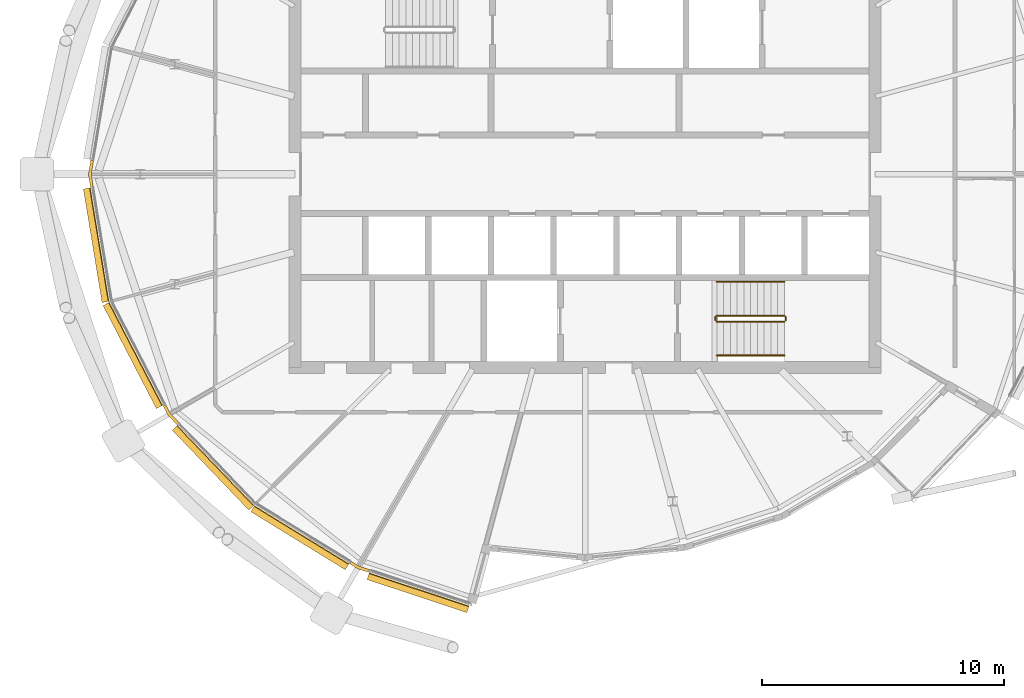
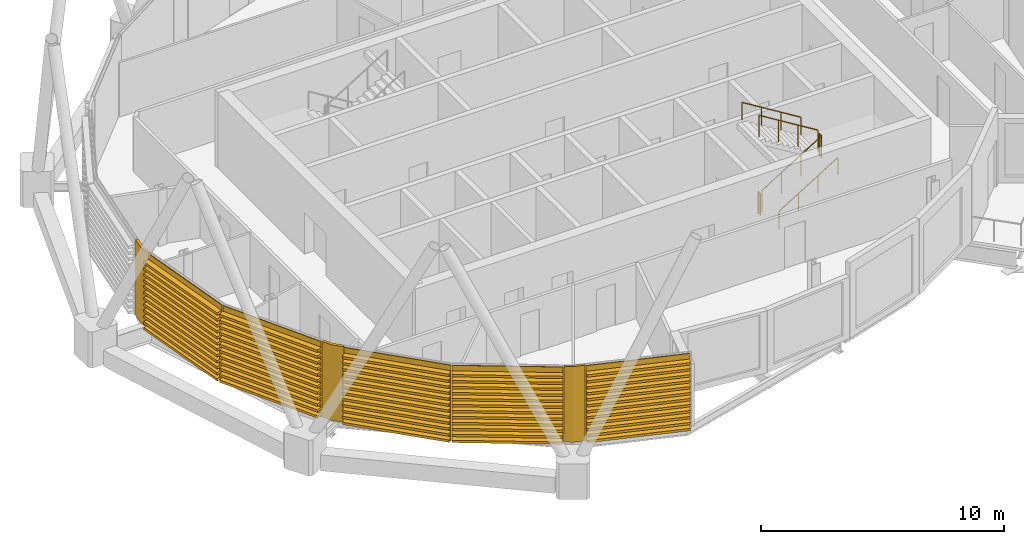
# One storey, part 27 of 32: 8 coverings, 6 railings.
"""IFC4 building model written with IfcOpenShell, lengths in metres."""

from ifc_helpers import new_model, si_unit, direction, frame, origin, origin_2d, place, context, subcontext, project, spatial, polyline, circle, outline, extrude, material, layer, layer_set, material_profile, profile_set, type_object, element, save


model = new_model("IFC4")

# Units and contexts
model_context = context("Model", 3, precision=1e-05, world=origin(), true_north=direction((0.0, 1.0)))
body_context = subcontext(model_context, "Body", "Model", "MODEL_VIEW")
ifc_project = project(units=[si_unit("LENGTHUNIT", "METRE"), si_unit("AREAUNIT", "SQUARE_METRE"), si_unit("VOLUMEUNIT", "CUBIC_METRE"), si_unit("PLANEANGLEUNIT", "RADIAN"), si_unit("MASSUNIT", "GRAM", prefix="KILO")], contexts=[model_context])

# Site, building, storey
site_placement = place(None, origin())
site = spatial("IfcSite", under=ifc_project, at=site_placement, CompositionType="ELEMENT")
building_placement = place(site_placement, origin())
building = spatial("IfcBuilding", under=site, at=building_placement, Name="Rimbun Link Towers", CompositionType="ELEMENT")
storey_placement = place(building_placement, frame((0.0, 0.0, 233.300048828125)))
storey = spatial("IfcBuildingStorey", under=building, at=storey_placement, Name="L57", CompositionType="ELEMENT", Elevation=233.300048828125)

# Coverings
ifc_material_1 = material(Name="Terracotta", Category="masonry")
ifc_layer = layer(ifc_material_1, 0.1201171875)
ifc_layer_set = layer_set([ifc_layer], Name="LINK PIER terracotta cladding 120")
covering_type_1 = type_object("IfcCoveringType", Name="LINK PIER terracotta cladding 120", PredefinedType="CLADDING", material=ifc_layer_set)
covering_1_placement = place(storey_placement, origin())
element("IfcCovering", 1, at=covering_1_placement, inside=storey, type_object=covering_type_1, Name="LINK PIER cladding", PredefinedType="CLADDING", context=body_context, shape_type="SweptSolid", body=[
    extrude(outline(polyline([(-52.0908203125, -0.51318359375), (-52.17529296875, 0.0), (-52.082763671875, 0.5625), (-52.201171875, 0.58203125), (-52.296875, 0.0), (-52.209228515625, -0.532470703125), (-52.0908203125, -0.51318359375)])), origin(), (0.0, 0.0, 1.0), 3.800048828125),
])
covering_2_placement = place(storey_placement, origin())
element("IfcCovering", 2, at=covering_2_placement, inside=storey, type_object=covering_type_1, Name="LINK PIER cladding", PredefinedType="CLADDING", context=body_context, shape_type="SweptSolid", body=[
    extrude(outline(polyline([(-48.541748046875, -10.278076171875), (-48.901611328125, -9.902587890625), (-49.0947265625, -9.529541015625), (-49.201171875, -9.584716796875), (-49.000244140625, -9.97314453125), (-48.62841796875, -10.361083984375), (-48.541748046875, -10.278076171875)])), origin(), (0.0, 0.0, 1.0), 3.800048828125),
])
covering_3_placement = place(storey_placement, origin())
element("IfcCovering", 3, at=covering_3_placement, inside=storey, type_object=covering_type_1, Name="LINK PIER cladding", PredefinedType="CLADDING", context=body_context, shape_type="SweptSolid", body=[
    extrude(outline(polyline([(-40.66259765625, -16.357666015625), (-41.108642578125, -16.209716796875), (-41.424072265625, -16.01611328125), (-41.48681640625, -16.118408203125), (-41.15966796875, -16.3193359375), (-40.7001953125, -16.471435546875), (-40.66259765625, -16.357666015625)])), origin(), (0.0, 0.0, 1.0), 3.800048828125),
])

# Railings
ifc_material_2 = material(Name="Stainless steel grade 316", Category="steel")
railing_type_1 = type_object("IfcRailingType", Name="Stair guard", PredefinedType="GUARDRAIL", material=ifc_material_2)
railing_1_placement = place(storey_placement, frame((-26.300048828125, -6.10009765625, 0.172607421875)))
element("IfcRailing", 4, at=railing_1_placement, inside=storey, type_object=railing_type_1, Name="L57 ST2 stair guard 1", PredefinedType="GUARDRAIL", context=body_context, shape_type="SweptSolid", body=[
    extrude(circle(Radius=0.02392578125, at=origin_2d()), frame((0.0, 0.0, 1.076171875), z_axis=(0.851089632645, 0.0, 0.525020415988), x_axis=(0.0, 1.0, 0.0)), (0.0, 0.0, 1.0), 3.2900390625),
    extrude(circle(Radius=0.02099609375, at=origin_2d()), origin(), (0.0, 0.0, 1.0), 1.052001953125),
    extrude(circle(Radius=0.02099609375, at=origin_2d()), frame((0.933349609375, 0.0, 0.57568359375)), (0.0, 0.0, 1.0), 1.052001953125),
    extrude(circle(Radius=0.02099609375, at=origin_2d()), frame((1.86669921875, 0.0, 1.151611328125)), (0.0, 0.0, 1.0), 1.052001953125),
    extrude(circle(Radius=0.02099609375, at=origin_2d()), frame((2.800048828125, 0.0, 1.727294921875)), (0.0, 0.0, 1.0), 1.052001953125),
])
railing_2_placement = place(storey_placement, frame((-23.449951171875, -6.050048828125, 1.89990234375)))
element("IfcRailing", 5, at=railing_2_placement, inside=storey, type_object=railing_type_1, Name="L57 ST2 stair guard 2", PredefinedType="GUARDRAIL", context=body_context, shape_type="SweptSolid", body=[
    extrude(circle(Radius=0.02392578125, at=origin_2d()), frame((0.0, 0.0, 1.076171875), z_axis=(0.0, 1.0, 0.0), x_axis=(-1.0, 0.0, 0.0)), (0.0, 0.0, 1.0), 0.150146484375),
    extrude(circle(Radius=0.02099609375, at=origin_2d()), origin(), (0.0, 0.0, 1.0), 1.052001953125),
    extrude(circle(Radius=0.02099609375, at=origin_2d()), frame((0.0, 0.150146484375, 0.0)), (0.0, 0.0, 1.0), 1.052001953125),
])
railing_3_placement = place(storey_placement, frame((-23.5, -5.85009765625, 2.07275390625)))
element("IfcRailing", 6, at=railing_3_placement, inside=storey, type_object=railing_type_1, Name="L57 ST2 stair guard 3", PredefinedType="GUARDRAIL", context=body_context, shape_type="SweptSolid", body=[
    extrude(circle(Radius=0.02392578125, at=origin_2d()), frame((0.0, 0.0, 1.076171875), z_axis=(-0.851089632645, 0.0, 0.525020415988), x_axis=(0.0, -1.0, 0.0)), (0.0, 0.0, 1.0), 3.2900390625),
    extrude(circle(Radius=0.02099609375, at=origin_2d()), origin(), (0.0, 0.0, 1.0), 1.052001953125),
    extrude(circle(Radius=0.02099609375, at=origin_2d()), frame((-0.933349609375, 0.0, 0.57568359375)), (0.0, 0.0, 1.0), 1.052001953125),
    extrude(circle(Radius=0.02099609375, at=origin_2d()), frame((-1.86669921875, 0.0, 1.151611328125)), (0.0, 0.0, 1.0), 1.052001953125),
    extrude(circle(Radius=0.02099609375, at=origin_2d()), frame((-2.800048828125, 0.0, 1.727294921875)), (0.0, 0.0, 1.0), 1.052001953125),
])
railing_4_placement = place(storey_placement, frame((-26.35009765625, -6.050048828125, 0.0)))
element("IfcRailing", 7, at=railing_4_placement, inside=storey, type_object=railing_type_1, Name="L57 ST2 stair guard 4", PredefinedType="GUARDRAIL", context=body_context, shape_type="SweptSolid", body=[
    extrude(circle(Radius=0.02392578125, at=origin_2d()), frame((0.0, 0.0, 1.076171875), z_axis=(0.0, 1.0, 0.0), x_axis=(-1.0, 0.0, 0.0)), (0.0, 0.0, 1.0), 0.150146484375),
    extrude(circle(Radius=0.02099609375, at=origin_2d()), origin(), (0.0, 0.0, 1.0), 1.052001953125),
    extrude(circle(Radius=0.02099609375, at=origin_2d()), frame((0.0, 0.150146484375, 0.0)), (0.0, 0.0, 1.0), 1.052001953125),
])
ifc_material_3 = material(Name="Stainless steel grade 316", Category="steel")
railing_type_2 = type_object("IfcRailingType", Name="Stair handrail", PredefinedType="HANDRAIL", material=ifc_material_3)
railing_5_placement = place(storey_placement, frame((-26.300048828125, -7.5, 0.172607421875)))
element("IfcRailing", 8, at=railing_5_placement, inside=storey, type_object=railing_type_2, Name="L57 ST2 stair handrail 1", PredefinedType="HANDRAIL", context=body_context, shape_type="SweptSolid", body=[
    extrude(circle(Radius=0.02392578125, at=origin_2d()), frame((0.0, 0.0, 0.8759765625), z_axis=(0.851089632645, 0.0, 0.525020415988), x_axis=(0.0, 1.0, 0.0)), (0.0, 0.0, 1.0), 3.2900390625),
    extrude(circle(Radius=0.02099609375, at=origin_2d()), origin(), (0.0, 0.0, 1.0), 0.851806640625),
    extrude(circle(Radius=0.02099609375, at=origin_2d()), frame((0.933349609375, 0.0, 0.57568359375)), (0.0, 0.0, 1.0), 0.851806640625),
    extrude(circle(Radius=0.02099609375, at=origin_2d()), frame((1.86669921875, 0.0, 1.151611328125)), (0.0, 0.0, 1.0), 0.851806640625),
    extrude(circle(Radius=0.02099609375, at=origin_2d()), frame((2.800048828125, 0.0, 1.727294921875)), (0.0, 0.0, 1.0), 0.851806640625),
])
railing_6_placement = place(storey_placement, frame((-23.5, -4.449951171875, 2.07275390625)))
element("IfcRailing", 9, at=railing_6_placement, inside=storey, type_object=railing_type_2, Name="L57 ST2 stair handrail 2", PredefinedType="HANDRAIL", context=body_context, shape_type="SweptSolid", body=[
    extrude(circle(Radius=0.02392578125, at=origin_2d()), frame((0.0, 0.0, 0.8759765625), z_axis=(-0.851089632645, 0.0, 0.525020415988), x_axis=(0.0, -1.0, 0.0)), (0.0, 0.0, 1.0), 3.2900390625),
    extrude(circle(Radius=0.02099609375, at=origin_2d()), origin(), (0.0, 0.0, 1.0), 0.851806640625),
    extrude(circle(Radius=0.02099609375, at=origin_2d()), frame((-0.933349609375, 0.0, 0.57568359375)), (0.0, 0.0, 1.0), 0.851806640625),
    extrude(circle(Radius=0.02099609375, at=origin_2d()), frame((-1.86669921875, 0.0, 1.151611328125)), (0.0, 0.0, 1.0), 0.851806640625),
    extrude(circle(Radius=0.02099609375, at=origin_2d()), frame((-2.800048828125, 0.0, 1.727294921875)), (0.0, 0.0, 1.0), 0.851806640625),
])

# Coverings
ifc_material_4 = material(Name="Terracotta", Category="masonry")
ifc_material_profile = material_profile(ifc_material_4, outline(polyline([(0.123046875, 0.0), (0.1630859375, 0.0), (0.1630859375, 0.10009765625), (0.423095703125, 0.10009765625), (0.423095703125, 0.219970703125), (0.1630859375, 0.219970703125), (0.1630859375, 0.39990234375), (0.423095703125, 0.39990234375), (0.423095703125, 0.52001953125), (0.1630859375, 0.52001953125), (0.1630859375, 0.699951171875), (0.423095703125, 0.699951171875), (0.423095703125, 0.820068359375), (0.1630859375, 0.820068359375), (0.1630859375, 1.0), (0.423095703125, 1.0), (0.423095703125, 1.1201171875), (0.1630859375, 1.1201171875), (0.1630859375, 1.300048828125), (0.423095703125, 1.300048828125), (0.423095703125, 1.419921875), (0.1630859375, 1.419921875), (0.1630859375, 1.60009765625), (0.423095703125, 1.60009765625), (0.423095703125, 1.719970703125), (0.1630859375, 1.719970703125), (0.1630859375, 1.89990234375), (0.423095703125, 1.89990234375), (0.423095703125, 2.02001953125), (0.1630859375, 2.02001953125), (0.1630859375, 2.199951171875), (0.423095703125, 2.199951171875), (0.423095703125, 2.320068359375), (0.1630859375, 2.320068359375), (0.1630859375, 2.5), (0.423095703125, 2.5), (0.423095703125, 2.6201171875), (0.1630859375, 2.6201171875), (0.1630859375, 2.800048828125), (0.423095703125, 2.800048828125), (0.423095703125, 2.919921875), (0.1630859375, 2.919921875), (0.1630859375, 3.10009765625), (0.423095703125, 3.10009765625), (0.423095703125, 3.219970703125), (0.1630859375, 3.219970703125), (0.1630859375, 3.39990234375), (0.423095703125, 3.39990234375), (0.423095703125, 3.52001953125), (0.1630859375, 3.52001953125), (0.1630859375, 3.800048828125), (0.123046875, 3.800048828125), (0.123046875, 0.0)])), Name="BAGUETTE 120X300")
ifc_profile_set = profile_set([ifc_material_profile], Name="Terracotta")
covering_type_2 = type_object("IfcCoveringType", Name="TERRACOTTA BAGUETTE 120X300 H3800", PredefinedType="CLADDING", material=ifc_profile_set)
covering_4_placement = place(storey_placement, frame((-51.313232421875, -5.241943359375, 0.0), z_axis=(-0.162253781164, 0.986749061564, 0.0), x_axis=(-0.986749061564, -0.162253781164, 0.0)))
element("IfcCovering", 10, at=covering_4_placement, inside=storey, type_object=covering_type_2, Name="TERRACOTTA BAGUETTE", PredefinedType="CLADDING", context=body_context, shape_type="SweptSolid", body=[
    extrude(outline(polyline([(0.123046875, 0.0), (0.1630859375, 0.0), (0.1630859375, 0.10009765625), (0.423095703125, 0.10009765625), (0.423095703125, 0.219970703125), (0.1630859375, 0.219970703125), (0.1630859375, 0.39990234375), (0.423095703125, 0.39990234375), (0.423095703125, 0.52001953125), (0.1630859375, 0.52001953125), (0.1630859375, 0.699951171875), (0.423095703125, 0.699951171875), (0.423095703125, 0.820068359375), (0.1630859375, 0.820068359375), (0.1630859375, 1.0), (0.423095703125, 1.0), (0.423095703125, 1.1201171875), (0.1630859375, 1.1201171875), (0.1630859375, 1.300048828125), (0.423095703125, 1.300048828125), (0.423095703125, 1.419921875), (0.1630859375, 1.419921875), (0.1630859375, 1.60009765625), (0.423095703125, 1.60009765625), (0.423095703125, 1.719970703125), (0.1630859375, 1.719970703125), (0.1630859375, 1.89990234375), (0.423095703125, 1.89990234375), (0.423095703125, 2.02001953125), (0.1630859375, 2.02001953125), (0.1630859375, 2.199951171875), (0.423095703125, 2.199951171875), (0.423095703125, 2.320068359375), (0.1630859375, 2.320068359375), (0.1630859375, 2.5), (0.423095703125, 2.5), (0.423095703125, 2.6201171875), (0.1630859375, 2.6201171875), (0.1630859375, 2.800048828125), (0.423095703125, 2.800048828125), (0.423095703125, 2.919921875), (0.1630859375, 2.919921875), (0.1630859375, 3.10009765625), (0.423095703125, 3.10009765625), (0.423095703125, 3.219970703125), (0.1630859375, 3.219970703125), (0.1630859375, 3.39990234375), (0.423095703125, 3.39990234375), (0.423095703125, 3.52001953125), (0.1630859375, 3.52001953125), (0.1630859375, 3.800048828125), (0.123046875, 3.800048828125), (0.123046875, 0.0)])), origin(), (0.0, 0.0, 1.0), 4.76220703125),
])
covering_5_placement = place(storey_placement, frame((-49.1083984375, -9.5029296875, 0.0), z_axis=(-0.459566887816, 0.888143161671, 0.0), x_axis=(-0.888143161671, -0.459566887816, 0.0)))
element("IfcCovering", 11, at=covering_5_placement, inside=storey, type_object=covering_type_2, Name="TERRACOTTA BAGUETTE", PredefinedType="CLADDING", context=body_context, shape_type="SweptSolid", body=[
    extrude(outline(polyline([(0.123046875, 0.0), (0.1630859375, 0.0), (0.1630859375, 0.10009765625), (0.423095703125, 0.10009765625), (0.423095703125, 0.219970703125), (0.1630859375, 0.219970703125), (0.1630859375, 0.39990234375), (0.423095703125, 0.39990234375), (0.423095703125, 0.52001953125), (0.1630859375, 0.52001953125), (0.1630859375, 0.699951171875), (0.423095703125, 0.699951171875), (0.423095703125, 0.820068359375), (0.1630859375, 0.820068359375), (0.1630859375, 1.0), (0.423095703125, 1.0), (0.423095703125, 1.1201171875), (0.1630859375, 1.1201171875), (0.1630859375, 1.300048828125), (0.423095703125, 1.300048828125), (0.423095703125, 1.419921875), (0.1630859375, 1.419921875), (0.1630859375, 1.60009765625), (0.423095703125, 1.60009765625), (0.423095703125, 1.719970703125), (0.1630859375, 1.719970703125), (0.1630859375, 1.89990234375), (0.423095703125, 1.89990234375), (0.423095703125, 2.02001953125), (0.1630859375, 2.02001953125), (0.1630859375, 2.199951171875), (0.423095703125, 2.199951171875), (0.423095703125, 2.320068359375), (0.1630859375, 2.320068359375), (0.1630859375, 2.5), (0.423095703125, 2.5), (0.423095703125, 2.6201171875), (0.1630859375, 2.6201171875), (0.1630859375, 2.800048828125), (0.423095703125, 2.800048828125), (0.423095703125, 2.919921875), (0.1630859375, 2.919921875), (0.1630859375, 3.10009765625), (0.423095703125, 3.10009765625), (0.423095703125, 3.219970703125), (0.1630859375, 3.219970703125), (0.1630859375, 3.39990234375), (0.423095703125, 3.39990234375), (0.423095703125, 3.52001953125), (0.1630859375, 3.52001953125), (0.1630859375, 3.800048828125), (0.123046875, 3.800048828125), (0.123046875, 0.0)])), origin(), (0.0, 0.0, 1.0), 4.797607421875),
])
covering_6_placement = place(storey_placement, frame((-45.353515625, -13.603515625, 0.0), z_axis=(-0.69204089891, 0.721858292351, 0.0), x_axis=(-0.721858292351, -0.69204089891, 0.0)))
element("IfcCovering", 12, at=covering_6_placement, inside=storey, type_object=covering_type_2, Name="TERRACOTTA BAGUETTE", PredefinedType="CLADDING", context=body_context, shape_type="SweptSolid", body=[
    extrude(outline(polyline([(0.123046875, 0.0), (0.1630859375, 0.0), (0.1630859375, 0.10009765625), (0.423095703125, 0.10009765625), (0.423095703125, 0.219970703125), (0.1630859375, 0.219970703125), (0.1630859375, 0.39990234375), (0.423095703125, 0.39990234375), (0.423095703125, 0.52001953125), (0.1630859375, 0.52001953125), (0.1630859375, 0.699951171875), (0.423095703125, 0.699951171875), (0.423095703125, 0.820068359375), (0.1630859375, 0.820068359375), (0.1630859375, 1.0), (0.423095703125, 1.0), (0.423095703125, 1.1201171875), (0.1630859375, 1.1201171875), (0.1630859375, 1.300048828125), (0.423095703125, 1.300048828125), (0.423095703125, 1.419921875), (0.1630859375, 1.419921875), (0.1630859375, 1.60009765625), (0.423095703125, 1.60009765625), (0.423095703125, 1.719970703125), (0.1630859375, 1.719970703125), (0.1630859375, 1.89990234375), (0.423095703125, 1.89990234375), (0.423095703125, 2.02001953125), (0.1630859375, 2.02001953125), (0.1630859375, 2.199951171875), (0.423095703125, 2.199951171875), (0.423095703125, 2.320068359375), (0.1630859375, 2.320068359375), (0.1630859375, 2.5), (0.423095703125, 2.5), (0.423095703125, 2.6201171875), (0.1630859375, 2.6201171875), (0.1630859375, 2.800048828125), (0.423095703125, 2.800048828125), (0.423095703125, 2.919921875), (0.1630859375, 2.919921875), (0.1630859375, 3.10009765625), (0.423095703125, 3.10009765625), (0.423095703125, 3.219970703125), (0.1630859375, 3.219970703125), (0.1630859375, 3.39990234375), (0.423095703125, 3.39990234375), (0.423095703125, 3.52001953125), (0.1630859375, 3.52001953125), (0.1630859375, 3.800048828125), (0.123046875, 3.800048828125), (0.123046875, 0.0)])), origin(), (0.0, 0.0, 1.0), 4.576904296875),
])
covering_7_placement = place(storey_placement, frame((-41.449462890625, -16.00048828125, 0.0), z_axis=(-0.852195822101, 0.52322297426, 0.0), x_axis=(-0.52322297426, -0.852195822101, 0.0)))
element("IfcCovering", 13, at=covering_7_placement, inside=storey, type_object=covering_type_2, Name="TERRACOTTA BAGUETTE", PredefinedType="CLADDING", context=body_context, shape_type="SweptSolid", body=[
    extrude(outline(polyline([(0.123046875, 0.0), (0.1630859375, 0.0), (0.1630859375, 0.10009765625), (0.423095703125, 0.10009765625), (0.423095703125, 0.219970703125), (0.1630859375, 0.219970703125), (0.1630859375, 0.39990234375), (0.423095703125, 0.39990234375), (0.423095703125, 0.52001953125), (0.1630859375, 0.52001953125), (0.1630859375, 0.699951171875), (0.423095703125, 0.699951171875), (0.423095703125, 0.820068359375), (0.1630859375, 0.820068359375), (0.1630859375, 1.0), (0.423095703125, 1.0), (0.423095703125, 1.1201171875), (0.1630859375, 1.1201171875), (0.1630859375, 1.300048828125), (0.423095703125, 1.300048828125), (0.423095703125, 1.419921875), (0.1630859375, 1.419921875), (0.1630859375, 1.60009765625), (0.423095703125, 1.60009765625), (0.423095703125, 1.719970703125), (0.1630859375, 1.719970703125), (0.1630859375, 1.89990234375), (0.423095703125, 1.89990234375), (0.423095703125, 2.02001953125), (0.1630859375, 2.02001953125), (0.1630859375, 2.199951171875), (0.423095703125, 2.199951171875), (0.423095703125, 2.320068359375), (0.1630859375, 2.320068359375), (0.1630859375, 2.5), (0.423095703125, 2.5), (0.423095703125, 2.6201171875), (0.1630859375, 2.6201171875), (0.1630859375, 2.800048828125), (0.423095703125, 2.800048828125), (0.423095703125, 2.919921875), (0.1630859375, 2.919921875), (0.1630859375, 3.10009765625), (0.423095703125, 3.10009765625), (0.423095703125, 3.219970703125), (0.1630859375, 3.219970703125), (0.1630859375, 3.39990234375), (0.423095703125, 3.39990234375), (0.423095703125, 3.52001953125), (0.1630859375, 3.52001953125), (0.1630859375, 3.800048828125), (0.123046875, 3.800048828125), (0.123046875, 0.0)])), origin(), (0.0, 0.0, 1.0), 4.5810546875),
])
covering_8_placement = place(storey_placement, frame((-36.50244140625, -17.736328125, 0.0), z_axis=(-0.949237141598, 0.314561359693, 0.0), x_axis=(-0.314561359693, -0.949237141598, 0.0)))
element("IfcCovering", 14, at=covering_8_placement, inside=storey, type_object=covering_type_2, Name="TERRACOTTA BAGUETTE", PredefinedType="CLADDING", context=body_context, shape_type="SweptSolid", body=[
    extrude(outline(polyline([(0.123046875, 0.0), (0.1630859375, 0.0), (0.1630859375, 0.10009765625), (0.423095703125, 0.10009765625), (0.423095703125, 0.219970703125), (0.1630859375, 0.219970703125), (0.1630859375, 0.39990234375), (0.423095703125, 0.39990234375), (0.423095703125, 0.52001953125), (0.1630859375, 0.52001953125), (0.1630859375, 0.699951171875), (0.423095703125, 0.699951171875), (0.423095703125, 0.820068359375), (0.1630859375, 0.820068359375), (0.1630859375, 1.0), (0.423095703125, 1.0), (0.423095703125, 1.1201171875), (0.1630859375, 1.1201171875), (0.1630859375, 1.300048828125), (0.423095703125, 1.300048828125), (0.423095703125, 1.419921875), (0.1630859375, 1.419921875), (0.1630859375, 1.60009765625), (0.423095703125, 1.60009765625), (0.423095703125, 1.719970703125), (0.1630859375, 1.719970703125), (0.1630859375, 1.89990234375), (0.423095703125, 1.89990234375), (0.423095703125, 2.02001953125), (0.1630859375, 2.02001953125), (0.1630859375, 2.199951171875), (0.423095703125, 2.199951171875), (0.423095703125, 2.320068359375), (0.1630859375, 2.320068359375), (0.1630859375, 2.5), (0.423095703125, 2.5), (0.423095703125, 2.6201171875), (0.1630859375, 2.6201171875), (0.1630859375, 2.800048828125), (0.423095703125, 2.800048828125), (0.423095703125, 2.919921875), (0.1630859375, 2.919921875), (0.1630859375, 3.10009765625), (0.423095703125, 3.10009765625), (0.423095703125, 3.219970703125), (0.1630859375, 3.219970703125), (0.1630859375, 3.39990234375), (0.423095703125, 3.39990234375), (0.423095703125, 3.52001953125), (0.1630859375, 3.52001953125), (0.1630859375, 3.800048828125), (0.123046875, 3.800048828125), (0.123046875, 0.0)])), origin(), (0.0, 0.0, 1.0), 4.3525390625),
])

save(model, "model.ifc")
